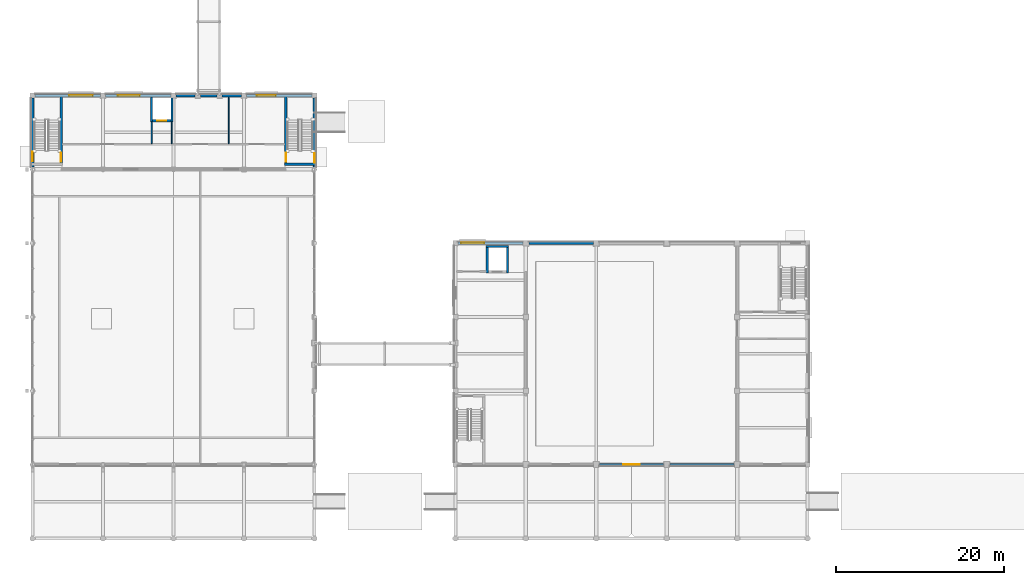
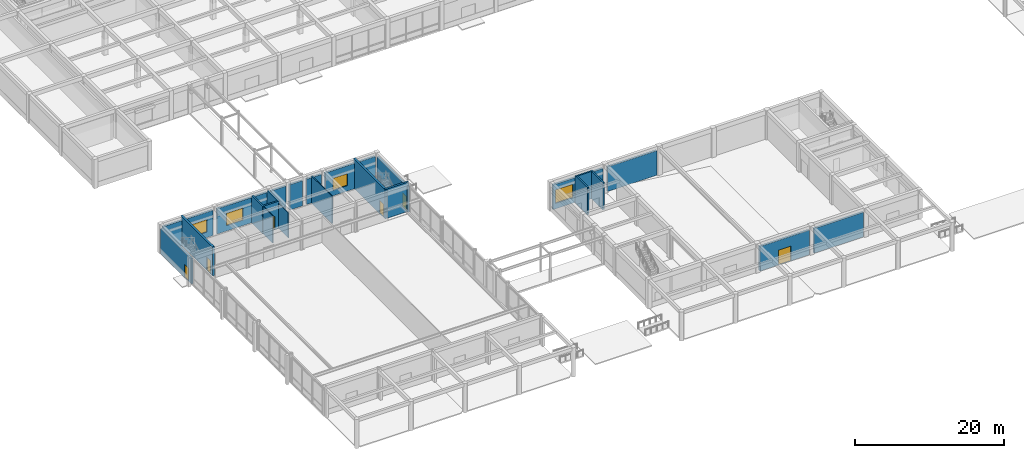
# One storey, part 33 of 58: 24 walls, 6 doors, 4 windows, 10 openings.
"""IFC4 building model written with IfcOpenShell, lengths in metres."""

import ifcopenshell
import ifcopenshell.guid

model = None  # the IFC model being written
_history = None  # IfcOwnerHistory: only IFC2X3 demands one
_inside = {}  # id of a spatial element -> (the spatial element, [elements in it])
_under = {}  # id of a project, library or spatial element -> (it, [spatial elements below it])
_declared = {}  # id of a project -> (the project, [libraries it declares])
_typed = {}  # id of a type object -> (the type object, [elements of that type])
_made_of = {}  # id of a material, layer set ... -> (it, [elements and type objects made of it])


def new_model(schema):
    """Start an empty IFC model of exactly this schema.

    Asked for "IFC4X3", IfcOpenShell would pick the latest addendum, in which some entities
    have other attributes; the version numbers below select the first issue.
    IFC2X3 requires an IfcOwnerHistory on every rooted entity: one is made here for all.
    """
    global model, _history
    if schema == "IFC4X3":
        model = ifcopenshell.file(schema_version=(4, 3, 0, 0))
    else:
        model = ifcopenshell.file(schema=schema)
    _inside.clear()
    _under.clear()
    _declared.clear()
    _typed.clear()
    _made_of.clear()
    _history = None
    if model.schema == "IFC2X3":
        org = make("IfcOrganization", Name="unknown")
        user = make(
            "IfcPersonAndOrganization",
            ThePerson=make("IfcPerson", FamilyName="unknown"),
            TheOrganization=org,
        )
        app = make(
            "IfcApplication",
            ApplicationDeveloper=org,
            Version="unknown",
            ApplicationFullName="unknown",
            ApplicationIdentifier="unknown",
        )
        _history = make(
            "IfcOwnerHistory",
            OwningUser=user,
            OwningApplication=app,
            ChangeAction="ADDED",
            CreationDate=0,
        )
    return model


def make(cls, **values):
    """One entity of the class cls with the attributes given. An attribute that is None is left unset."""
    return model.create_entity(
        cls, **{name: value for name, value in values.items() if value is not None}
    )


def rooted(cls, **values):
    """An entity with a GlobalId (a new one), such as an element, a storey or a relation."""
    return make(cls, GlobalId=ifcopenshell.guid.new(), OwnerHistory=_history, **values)


def si_unit(unit_type, name, prefix=None):
    """IfcSIUnit, for example si_unit("LENGTHUNIT", "METRE", prefix="MILLI")."""
    return make("IfcSIUnit", UnitType=unit_type, Prefix=prefix, Name=name)


def assignment(units):
    """IfcUnitAssignment: the units of a project."""
    return None if units is None else make("IfcUnitAssignment", Units=units)


def point(xyz):
    """IfcCartesianPoint."""
    return None if xyz is None else make("IfcCartesianPoint", Coordinates=xyz)


def direction(xyz):
    """IfcDirection."""
    return None if xyz is None else make("IfcDirection", DirectionRatios=xyz)


def frame(location, z_axis=None, x_axis=None):
    """IfcAxis2Placement3D, a coordinate frame: its origin and axes. An axis left out is left unset."""
    return make(
        "IfcAxis2Placement3D",
        Location=point(location),
        Axis=direction(z_axis),
        RefDirection=direction(x_axis),
    )


def frame_2d(location, x_axis=None):
    """IfcAxis2Placement2D, a coordinate frame in the plane: its origin and x axis."""
    return make(
        "IfcAxis2Placement2D", Location=point(location), RefDirection=direction(x_axis)
    )


def origin():
    """The frame at (0, 0, 0) with its axes left unset."""
    return frame((0.0, 0.0, 0.0))


def place(relative_to, where):
    """IfcLocalPlacement: puts the frame where relative to a parent placement (None: the world)."""
    return make(
        "IfcLocalPlacement", PlacementRelTo=relative_to, RelativePlacement=where
    )


def context(
    kind, dimensions, precision=None, world=None, true_north=None, identifier=None
):
    """IfcGeometricRepresentationContext, for example the 3D "Model" context."""
    return make(
        "IfcGeometricRepresentationContext",
        ContextIdentifier=identifier,
        ContextType=kind,
        CoordinateSpaceDimension=dimensions,
        Precision=precision,
        WorldCoordinateSystem=world,
        TrueNorth=true_north,
    )


def subcontext(parent, identifier, kind, view, scale=None):
    """IfcGeometricRepresentationSubContext, for example "Body" below "Model"."""
    return make(
        "IfcGeometricRepresentationSubContext",
        ContextIdentifier=identifier,
        ContextType=kind,
        ParentContext=parent,
        TargetScale=scale,
        TargetView=view,
    )


def project(units=None, contexts=None):
    """IfcProject with its units and contexts."""
    return rooted(
        "IfcProject",
        Name="project",
        RepresentationContexts=contexts,
        UnitsInContext=assignment(units),
    )


def spatial(cls, under=None, at=None, **own):
    """A site, building, storey or space (cls), placed at a placement, below another one or the project."""
    s = rooted(cls, ObjectPlacement=at, **own)
    if under is not None:
        _under.setdefault(under.id(), (under, []))[1].append(s)
    return s


def profile(cls, at=None, kind="AREA", **sizes):
    """A parametric profile (cls). Its sizes go by their IFC names, for example OverallWidth=200.0."""
    return make(cls, ProfileType=kind, Position=at, **sizes)


def rectangle(**sizes):
    """IfcRectangleProfileDef."""
    return profile("IfcRectangleProfileDef", **sizes)


def extrude(swept, where, along, depth):
    """IfcExtrudedAreaSolid: the profile swept, set in the frame where, extruded along a direction by depth."""
    return make(
        "IfcExtrudedAreaSolid",
        SweptArea=swept,
        Position=where,
        ExtrudedDirection=direction(along),
        Depth=depth,
    )


def shape(context_of_items, identifier, shape_type, items):
    """IfcShapeRepresentation: the items that make up one representation, for example the "Body"."""
    return make(
        "IfcShapeRepresentation",
        ContextOfItems=context_of_items,
        RepresentationIdentifier=identifier,
        RepresentationType=shape_type,
        Items=items,
    )


def material(Name=None, Category=None):
    """IfcMaterial."""
    return make("IfcMaterial", Name=Name, Category=Category)


def layer(
    of_material, thickness, ventilated=None, Name=None, Category=None, Priority=None
):
    """IfcMaterialLayer: one layer of a wall or slab, of a material (None: an air gap)."""
    return make(
        "IfcMaterialLayer",
        Material=of_material,
        LayerThickness=thickness,
        IsVentilated=ventilated,
        Name=Name,
        Category=Category,
        Priority=Priority,
    )


def layer_set(layers, Name=None):
    """IfcMaterialLayerSet."""
    return make("IfcMaterialLayerSet", MaterialLayers=layers, LayerSetName=Name)


def made_of(thing, what):
    """Note that an element or type object is made of a material, layer set ...; save() writes the relation."""
    if what is not None:
        _made_of.setdefault(what.id(), (what, []))[1].append(thing)
    return thing


def type_object(cls, material=None, **own):
    """A type object (cls), such as IfcWallType, which elements share."""
    return made_of(rooted(cls, **own), material)


def element(
    cls,
    number,
    at=None,
    inside=None,
    cuts=None,
    type_object=None,
    material=None,
    context=None,
    identifier="Body",
    shape_type=None,
    held_by="IfcProductDefinitionShape",
    body=None,
    shapes=None,
    **own,
):
    """One element of the class cls, such as IfcWall. Its Tag is "e" and its number.

    at: its placement. inside: the storey or other place that contains it. cuts: it is an
    opening in that element (IfcRelVoidsElement). A single representation is given by context,
    identifier, shape_type and body (its items); several are given by shapes. held_by: the class
    of the entity that holds the representations. save() writes the other relations.
    """
    e = rooted(cls, Tag="e%d" % number, ObjectPlacement=at, **own)
    if body is not None:
        shapes = [shape(context, identifier, shape_type, body)]
    if shapes is not None:
        e.Representation = make(held_by, Representations=shapes)
    if inside is not None:
        _inside.setdefault(inside.id(), (inside, []))[1].append(e)
    if cuts is not None:
        rooted(
            "IfcRelVoidsElement", RelatingBuildingElement=cuts, RelatedOpeningElement=e
        )
    if type_object is not None:
        _typed.setdefault(type_object.id(), (type_object, []))[1].append(e)
    return made_of(e, material)


def fill(opening, filler):
    """IfcRelFillsElement: the door or window that sits in an opening."""
    return rooted(
        "IfcRelFillsElement",
        RelatingOpeningElement=opening,
        RelatedBuildingElement=filler,
    )


def aggregate(whole, parts):
    """IfcRelAggregates: a whole, such as a stair, and the parts it consists of."""
    return rooted("IfcRelAggregates", RelatingObject=whole, RelatedObjects=parts)


def save(model, path):
    """Write the relations noted so far, then the file.

    IfcRelAggregates (storeys below a building ...), IfcRelContainedInSpatialStructure (elements
    in a storey), IfcRelDefinesByType, IfcRelAssociatesMaterial and IfcRelDeclares: one each for
    every whole, place, type object, material and project.
    """
    for whole, parts in _under.values():
        aggregate(whole, parts)
    for where, things in _inside.values():
        rooted(
            "IfcRelContainedInSpatialStructure",
            RelatedElements=things,
            RelatingStructure=where,
        )
    for kind, things in _typed.values():
        rooted("IfcRelDefinesByType", RelatedObjects=things, RelatingType=kind)
    for what, things in _made_of.values():
        rooted("IfcRelAssociatesMaterial", RelatedObjects=things, RelatingMaterial=what)
    for by, libraries in _declared.values():
        rooted("IfcRelDeclares", RelatingContext=by, RelatedDefinitions=libraries)
    model.write(path)


model = new_model("IFC4")

# Units and contexts
model_context = context("Model", 3, precision=1e-05, world=origin(), true_north=direction((0.0, 1.0)))
body_context = subcontext(model_context, "Body", "Model", "MODEL_VIEW")
ifc_project = project(units=[si_unit("LENGTHUNIT", "METRE"), si_unit("AREAUNIT", "SQUARE_METRE"), si_unit("VOLUMEUNIT", "CUBIC_METRE"), si_unit("PLANEANGLEUNIT", "RADIAN"), si_unit("MASSUNIT", "GRAM", prefix="KILO")], contexts=[model_context])

# Site, building, storey
site_placement = place(None, origin())
site = spatial("IfcSite", under=ifc_project, at=site_placement, CompositionType="ELEMENT")
building_placement = place(site_placement, origin())
building = spatial("IfcBuilding", under=site, at=building_placement, Name="Kemercrest Conservatory and Botanical Centre", CompositionType="ELEMENT")
storey_placement = place(building_placement, origin())
storey = spatial("IfcBuildingStorey", under=building, at=storey_placement, Name="L00", CompositionType="ELEMENT", Elevation=0.0)

# Wall, opening, door
ifc_material_1 = material(Name="Precast concrete C40/50", Category="concrete")
ifc_layer_1 = layer(ifc_material_1, 0.300048828125)
ifc_layer_set_1 = layer_set([ifc_layer_1], Name="Precast concrete C40/50")
wall_type_1 = type_object("IfcWallType", Name="CW-EXT300", PredefinedType="SHEAR", material=ifc_layer_set_1)
wall_1_placement = place(storey_placement, frame((41.60009765625, 52.263916015625, 0.0), z_axis=(0.0, 0.0, 1.0), x_axis=(0.0, 1.0, 0.0)))
wall_1 = element("IfcWall", 1, at=wall_1_placement, inside=storey, type_object=wall_type_1, Name="Exterior stair-core shear wall CW-EXT300 (WAL:L00:EXT-006)", PredefinedType="SHEAR", context=body_context, shape_type="SweptSolid", body=[
    extrude(rectangle(XDim=8.22607421875, YDim=0.300048828125, at=frame_2d((4.113037109375, 0.0))), origin(), (0.0, 0.0, 1.0), 4.14990234375),
])
opening_1_placement = place(wall_1_placement, frame((0.550048828125, 0.0, 0.0)))
opening_1 = element("IfcOpeningElement", 2, at=opening_1_placement, cuts=wall_1, Name="Opening ED006", PredefinedType="OPENING", context=body_context, shape_type="SweptSolid", body=[
    extrude(rectangle(XDim=1.10009765625, YDim=2.199951171875, at=frame_2d((0.550048828125, 1.10009765625))), frame((0.0, 0.16015625, 0.0), z_axis=(0.0, -1.0, 0.0), x_axis=(1.0, 0.0, 0.0)), (0.0, 0.0, 1.0), 0.320068359375),
])
ifc_material_2 = material(Name="Thermally broken bronze-anodized aluminium and laminated safety glass", Category="aluminium")
door_type_1 = type_object("IfcDoorType", Name="DT-E03", OperationType="NOTDEFINED", PredefinedType="DOOR", material=ifc_material_2)
door_1_placement = place(opening_1_placement, frame((1.10009765625, 0.0, 0.0), z_axis=(0.0, 0.0, 1.0), x_axis=(-1.0, 0.0, 0.0)))
door_1 = element("IfcDoor", 3, at=door_1_placement, inside=storey, type_object=door_type_1, Name="Exit Stair ST-V1B Exterior Discharge Door", OperationType="SINGLE_SWING_LEFT", OverallHeight=2.199951171875, OverallWidth=1.10009765625, PredefinedType="DOOR", context=body_context, shape_type="SweptSolid", body=[
    extrude(rectangle(XDim=1.10009765625, YDim=2.199951171875, at=frame_2d((0.550048828125, 1.10009765625))), frame((0.0, 0.02490234375, 0.0), z_axis=(0.0, -1.0, 0.0), x_axis=(1.0, 0.0, 0.0)), (0.0, 0.0, 1.0), 0.050048828125),
])
fill(opening_1, door_1)

# Wall, opening, window
wall_2_placement = place(storey_placement, frame((41.2900390625, 60.800048828125, 0.0), z_axis=(0.0, 0.0, 1.0), x_axis=(-1.0, 0.0, 0.0)))
wall_2 = element("IfcWall", 4, at=wall_2_placement, inside=storey, type_object=wall_type_1, Name="Exterior stair-core shear wall CW-EXT300 (WAL:L00:EXT-007)", PredefinedType="SHEAR", context=body_context, shape_type="SweptSolid", body=[
    extrude(rectangle(XDim=7.780029296875, YDim=0.300048828125, at=frame_2d((3.89013671875, 0.0))), origin(), (0.0, 0.0, 1.0), 4.14990234375),
])
opening_2_placement = place(wall_2_placement, frame((4.31005859375, 0.0, 0.89990234375)))
opening_2 = element("IfcOpeningElement", 5, at=opening_2_placement, cuts=wall_2, Name="Opening WT-08", PredefinedType="OPENING", context=body_context, shape_type="SweptSolid", body=[
    extrude(rectangle(XDim=2.25, YDim=1.949951171875, at=frame_2d((1.125, 0.97509765625))), frame((0.0, 0.16015625, 0.0), z_axis=(0.0, -1.0, 0.0), x_axis=(1.0, 0.0, 0.0)), (0.0, 0.0, 1.0), 0.320068359375),
])
ifc_material_3 = material(Name="Thermally broken bronze-anodized aluminium and triple glazing", Category="aluminium")
window_type_1 = type_object("IfcWindowType", Name="WT-08", PartitioningType="SINGLE_PANEL", PredefinedType="WINDOW", material=ifc_material_3)
window_1_placement = place(opening_2_placement, origin())
window_1 = element("IfcWindow", 6, at=window_1_placement, inside=storey, type_object=window_type_1, Name="Exterior window WT-08 (WIN:L00:EXT-007)", OverallHeight=1.949951171875, OverallWidth=2.25, PartitioningType="SINGLE_PANEL", PredefinedType="WINDOW", context=body_context, shape_type="SweptSolid", body=[
    extrude(rectangle(XDim=2.25, YDim=1.949951171875, at=frame_2d((1.125, 0.97509765625))), frame((0.0, 0.030029296875, 0.0), z_axis=(0.0, -1.0, 0.0), x_axis=(1.0, 0.0, 0.0)), (0.0, 0.0, 1.0), 0.06005859375),
])
fill(opening_2, window_1)

wall_3_placement = place(storey_placement, frame((16.090087890625, 60.800048828125, 0.0), z_axis=(0.0, 0.0, 1.0), x_axis=(-1.0, 0.0, 0.0)))
wall_3 = element("IfcWall", 7, at=wall_3_placement, inside=storey, type_object=wall_type_1, Name="Exterior stair-core shear wall CW-EXT300 (WAL:L00:EXT-010)", PredefinedType="SHEAR", context=body_context, shape_type="SweptSolid", body=[
    extrude(rectangle(XDim=7.780029296875, YDim=0.300048828125, at=frame_2d((3.89013671875, 0.0))), origin(), (0.0, 0.0, 1.0), 4.14990234375),
])
opening_3_placement = place(wall_3_placement, frame((0.945068359375, 0.0, 0.89990234375)))
opening_3 = element("IfcOpeningElement", 8, at=opening_3_placement, cuts=wall_3, Name="Opening WT-11", PredefinedType="OPENING", context=body_context, shape_type="SweptSolid", body=[
    extrude(rectangle(XDim=2.800048828125, YDim=2.050048828125, at=frame_2d((1.39990234375, 1.02490234375))), frame((0.0, 0.16015625, 0.0), z_axis=(0.0, -1.0, 0.0), x_axis=(1.0, 0.0, 0.0)), (0.0, 0.0, 1.0), 0.320068359375),
])
window_type_2 = type_object("IfcWindowType", Name="WT-11", PartitioningType="SINGLE_PANEL", PredefinedType="WINDOW", material=ifc_material_3)
window_2_placement = place(opening_3_placement, origin())
window_2 = element("IfcWindow", 9, at=window_2_placement, inside=storey, type_object=window_type_2, Name="Exterior window WT-11 (WIN:L00:EXT-010)", OverallHeight=2.050048828125, OverallWidth=2.800048828125, PartitioningType="SINGLE_PANEL", PredefinedType="WINDOW", context=body_context, shape_type="SweptSolid", body=[
    extrude(rectangle(XDim=2.800048828125, YDim=2.050048828125, at=frame_2d((1.39990234375, 1.02490234375))), frame((0.0, 0.030029296875, 0.0), z_axis=(0.0, -1.0, 0.0), x_axis=(1.0, 0.0, 0.0)), (0.0, 0.0, 1.0), 0.06005859375),
])
fill(opening_3, window_2)

# Wall, opening, door
wall_4_placement = place(storey_placement, frame((8.0, 60.489990234375, 0.0), z_axis=(0.0, 0.0, 1.0), x_axis=(0.0, -1.0, 0.0)))
wall_4 = element("IfcWall", 10, at=wall_4_placement, inside=storey, type_object=wall_type_1, Name="Exterior stair-core shear wall CW-EXT300 (WAL:L00:EXT-011)", PredefinedType="SHEAR", context=body_context, shape_type="SweptSolid", body=[
    extrude(rectangle(XDim=8.22607421875, YDim=0.300048828125, at=frame_2d((4.113037109375, 0.0))), origin(), (0.0, 0.0, 1.0), 4.14990234375),
])
opening_4_placement = place(wall_4_placement, frame((6.39990234375, 0.0, 0.0)))
opening_4 = element("IfcOpeningElement", 11, at=opening_4_placement, cuts=wall_4, Name="Opening ED008", PredefinedType="OPENING", context=body_context, shape_type="SweptSolid", body=[
    extrude(rectangle(XDim=1.10009765625, YDim=2.199951171875, at=frame_2d((0.550048828125, 1.10009765625))), frame((0.0, 0.16015625, 0.0), z_axis=(0.0, -1.0, 0.0), x_axis=(1.0, 0.0, 0.0)), (0.0, 0.0, 1.0), 0.320068359375),
])
door_2_placement = place(opening_4_placement, frame((1.10009765625, 0.0, 0.0), z_axis=(0.0, 0.0, 1.0), x_axis=(-1.0, 0.0, 0.0)))
door_2 = element("IfcDoor", 12, at=door_2_placement, inside=storey, type_object=door_type_1, Name="Exit Stair ST-V1A Exterior Discharge Door", OperationType="SINGLE_SWING_RIGHT", OverallHeight=2.199951171875, OverallWidth=1.10009765625, PredefinedType="DOOR", context=body_context, shape_type="SweptSolid", body=[
    extrude(rectangle(XDim=1.10009765625, YDim=2.199951171875, at=frame_2d((0.550048828125, 1.10009765625))), frame((0.0, 0.02490234375, 0.0), z_axis=(0.0, -1.0, 0.0), x_axis=(1.0, 0.0, 0.0)), (0.0, 0.0, 1.0), 0.050048828125),
])
fill(opening_4, door_2)

ifc_material_4 = material(Name="Concrete C50/60", Category="concrete")
ifc_layer_2 = layer(ifc_material_4, 0.300048828125)
ifc_layer_set_2 = layer_set([ifc_layer_2], Name="Concrete C50/60")
wall_type_2 = type_object("IfcWallType", Name="CW-STAIR", PredefinedType="SHEAR", material=ifc_layer_set_2)
wall_5_placement = place(storey_placement, frame((11.39990234375, 52.449951171875, 0.0), z_axis=(0.0, 0.0, 1.0), x_axis=(0.0, 1.0, 0.0)))
wall_5 = element("IfcWall", 13, at=wall_5_placement, inside=storey, type_object=wall_type_2, Name="Stair core ST-V1A shear wall E", PredefinedType="SHEAR", context=body_context, shape_type="SweptSolid", body=[
    extrude(rectangle(XDim=8.5, YDim=0.300048828125, at=frame_2d((4.25, 0.0))), origin(), (0.0, 0.0, 1.0), 4.800048828125),
])
opening_5_placement = place(wall_5_placement, frame((0.449951171875, 0.0, 0.0)))
opening_5 = element("IfcOpeningElement", 14, at=opening_5_placement, cuts=wall_5, Name="Opening D002", PredefinedType="OPENING", context=body_context, shape_type="SweptSolid", body=[
    extrude(rectangle(XDim=1.10009765625, YDim=2.199951171875, at=frame_2d((0.550048828125, 1.10009765625))), frame((0.0, 0.16015625, 0.0), z_axis=(0.0, -1.0, 0.0), x_axis=(1.0, 0.0, 0.0)), (0.0, 0.0, 1.0), 0.320068359375),
])
ifc_material_5 = material(Name="Powder-coated galvanized steel and fire-rated vision glass", Category="steel")
door_type_2 = type_object("IfcDoorType", Name="DT-FD90", OperationType="NOTDEFINED", PredefinedType="DOOR", material=ifc_material_5)
door_3_placement = place(opening_5_placement, origin())
door_3 = element("IfcDoor", 15, at=door_3_placement, inside=storey, type_object=door_type_2, Name="Exit stair ST-V1A fire door D002", OperationType="SINGLE_SWING_RIGHT", OverallHeight=2.199951171875, OverallWidth=1.10009765625, PredefinedType="DOOR", context=body_context, shape_type="SweptSolid", body=[
    extrude(rectangle(XDim=1.10009765625, YDim=2.199951171875, at=frame_2d((0.550048828125, 1.10009765625))), frame((0.0, 0.02490234375, 0.0), z_axis=(0.0, -1.0, 0.0), x_axis=(1.0, 0.0, 0.0)), (0.0, 0.0, 1.0), 0.050048828125),
])
fill(opening_5, door_3)

# Wall
wall_6_placement = place(storey_placement, frame((38.050048828125, 52.60009765625, 0.0), z_axis=(0.0, 0.0, 1.0), x_axis=(1.0, 0.0, 0.0)))
element("IfcWall", 16, at=wall_6_placement, inside=storey, type_object=wall_type_2, Name="Stair core ST-V1B shear wall S", PredefinedType="SHEAR", context=body_context, shape_type="SweptSolid", body=[
    extrude(rectangle(XDim=3.699951171875, YDim=0.300048828125, at=frame_2d((1.85009765625, 0.0))), origin(), (0.0, 0.0, 1.0), 4.800048828125),
])

# Wall, opening, door
wall_7_placement = place(storey_placement, frame((38.199951171875, 52.449951171875, 0.0), z_axis=(0.0, 0.0, 1.0), x_axis=(0.0, 1.0, 0.0)))
wall_7 = element("IfcWall", 17, at=wall_7_placement, inside=storey, type_object=wall_type_2, Name="Stair core ST-V1B shear wall W", PredefinedType="SHEAR", context=body_context, shape_type="SweptSolid", body=[
    extrude(rectangle(XDim=8.5, YDim=0.300048828125, at=frame_2d((4.25, 0.0))), origin(), (0.0, 0.0, 1.0), 4.800048828125),
])
opening_6_placement = place(wall_7_placement, frame((0.449951171875, 0.0, 0.0)))
opening_6 = element("IfcOpeningElement", 18, at=opening_6_placement, cuts=wall_7, Name="Opening D005", PredefinedType="OPENING", context=body_context, shape_type="SweptSolid", body=[
    extrude(rectangle(XDim=1.10009765625, YDim=2.199951171875, at=frame_2d((0.550048828125, 1.10009765625))), frame((0.0, 0.16015625, 0.0), z_axis=(0.0, -1.0, 0.0), x_axis=(1.0, 0.0, 0.0)), (0.0, 0.0, 1.0), 0.320068359375),
])
door_4_placement = place(opening_6_placement, origin())
door_4 = element("IfcDoor", 19, at=door_4_placement, inside=storey, type_object=door_type_2, Name="Exit stair ST-V1B fire door D005", OperationType="SINGLE_SWING_LEFT", OverallHeight=2.199951171875, OverallWidth=1.10009765625, PredefinedType="DOOR", context=body_context, shape_type="SweptSolid", body=[
    extrude(rectangle(XDim=1.10009765625, YDim=2.199951171875, at=frame_2d((0.550048828125, 1.10009765625))), frame((0.0, 0.02490234375, 0.0), z_axis=(0.0, -1.0, 0.0), x_axis=(1.0, 0.0, 0.0)), (0.0, 0.0, 1.0), 0.050048828125),
])
fill(opening_6, door_4)

# Walls
ifc_layer_3 = layer(ifc_material_1, 0.300048828125)
ifc_layer_set_3 = layer_set([ifc_layer_3], Name="Precast concrete C40/50")
wall_type_3 = type_object("IfcWallType", Name="W-EXT300", PredefinedType="SOLIDWALL", material=ifc_layer_set_3)
wall_8_placement = place(storey_placement, frame((32.889892578125, 60.800048828125, 0.0), z_axis=(0.0, 0.0, 1.0), x_axis=(-1.0, 0.0, 0.0)))
element("IfcWall", 20, at=wall_8_placement, inside=storey, type_object=wall_type_3, Name="Exterior almasik wall W-EXT300 (WAL:L00:EXT-008-S1)", PredefinedType="SOLIDWALL", context=body_context, shape_type="SweptSolid", body=[
    extrude(rectangle(XDim=2.27978515625, YDim=0.300048828125, at=frame_2d((1.139892578125, 0.0))), origin(), (0.0, 0.0, 1.0), 4.14990234375),
])
wall_9_placement = place(storey_placement, frame((29.989990234375, 60.800048828125, 0.0), z_axis=(0.0, 0.0, 1.0), x_axis=(-1.0, 0.0, 0.0)))
element("IfcWall", 21, at=wall_9_placement, inside=storey, type_object=wall_type_3, Name="Exterior almasik wall W-EXT300 (WAL:L00:EXT-008-S2)", PredefinedType="SOLIDWALL", context=body_context, shape_type="SweptSolid", body=[
    extrude(rectangle(XDim=1.97998046875, YDim=0.300048828125, at=frame_2d((0.989990234375, 0.0))), origin(), (0.0, 0.0, 1.0), 4.14990234375),
])
wall_10_placement = place(storey_placement, frame((27.389892578125, 60.800048828125, 0.0), z_axis=(0.0, 0.0, 1.0), x_axis=(-1.0, 0.0, 0.0)))
element("IfcWall", 22, at=wall_10_placement, inside=storey, type_object=wall_type_3, Name="Exterior almasik wall W-EXT300 (WAL:L00:EXT-008-S3)", PredefinedType="SOLIDWALL", context=body_context, shape_type="SweptSolid", body=[
    extrude(rectangle(XDim=2.27978515625, YDim=0.300048828125, at=frame_2d((1.139892578125, 0.0))), origin(), (0.0, 0.0, 1.0), 4.14990234375),
])

# Wall, opening, window
wall_11_placement = place(storey_placement, frame((24.489990234375, 60.800048828125, 0.0), z_axis=(0.0, 0.0, 1.0), x_axis=(-1.0, 0.0, 0.0)))
wall_11 = element("IfcWall", 23, at=wall_11_placement, inside=storey, type_object=wall_type_3, Name="Exterior almasik wall W-EXT300 (WAL:L00:EXT-009)", PredefinedType="SOLIDWALL", context=body_context, shape_type="SweptSolid", body=[
    extrude(rectangle(XDim=7.780029296875, YDim=0.300048828125, at=frame_2d((3.89013671875, 0.0))), origin(), (0.0, 0.0, 1.0), 4.14990234375),
])
opening_7_placement = place(wall_11_placement, frame((3.735107421875, 0.0, 0.89990234375)))
opening_7 = element("IfcOpeningElement", 24, at=opening_7_placement, cuts=wall_11, Name="Opening WT-10", PredefinedType="OPENING", context=body_context, shape_type="SweptSolid", body=[
    extrude(rectangle(XDim=2.60009765625, YDim=2.0, at=frame_2d((1.300048828125, 1.0))), frame((0.0, 0.16015625, 0.0), z_axis=(0.0, -1.0, 0.0), x_axis=(1.0, 0.0, 0.0)), (0.0, 0.0, 1.0), 0.320068359375),
])
window_type_3 = type_object("IfcWindowType", Name="WT-10", PartitioningType="SINGLE_PANEL", PredefinedType="WINDOW", material=ifc_material_3)
window_3_placement = place(opening_7_placement, origin())
window_3 = element("IfcWindow", 25, at=window_3_placement, inside=storey, type_object=window_type_3, Name="Exterior window WT-10 (WIN:L00:EXT-009)", OverallHeight=2.0, OverallWidth=2.60009765625, PartitioningType="SINGLE_PANEL", PredefinedType="WINDOW", context=body_context, shape_type="SweptSolid", body=[
    extrude(rectangle(XDim=2.60009765625, YDim=2.0, at=frame_2d((1.300048828125, 1.0))), frame((0.0, 0.030029296875, 0.0), z_axis=(0.0, -1.0, 0.0), x_axis=(1.0, 0.0, 0.0)), (0.0, 0.0, 1.0), 0.06005859375),
])
fill(opening_7, window_3)

# Wall, opening, door
wall_12_placement = place(storey_placement, frame((75.56005859375, 16.800048828125, 0.0), z_axis=(0.0, 0.0, 1.0), x_axis=(1.0, 0.0, 0.0)))
wall_12 = element("IfcWall", 26, at=wall_12_placement, inside=storey, type_object=wall_type_3, Name="Exterior almasik wall W-EXT300 (WAL:L00:EXT-023)", PredefinedType="SOLIDWALL", context=body_context, shape_type="SweptSolid", body=[
    extrude(rectangle(XDim=7.679931640625, YDim=0.300048828125, at=frame_2d((3.83984375, 0.0))), origin(), (0.0, 0.0, 1.0), 4.050048828125),
])
opening_8_placement = place(wall_12_placement, frame((2.864990234375, 0.0, 0.0)))
opening_8 = element("IfcOpeningElement", 27, at=opening_8_placement, cuts=wall_12, Name="Opening ED015", PredefinedType="OPENING", context=body_context, shape_type="SweptSolid", body=[
    extrude(rectangle(XDim=1.949951171875, YDim=2.449951171875, at=frame_2d((0.97509765625, 1.22509765625))), frame((0.0, 0.16015625, 0.0), z_axis=(0.0, -1.0, 0.0), x_axis=(1.0, 0.0, 0.0)), (0.0, 0.0, 1.0), 0.320068359375),
])
door_type_3 = type_object("IfcDoorType", Name="DT-E11", OperationType="DOUBLE_DOOR_SINGLE_SWING", PredefinedType="DOOR", material=ifc_material_2)
door_5_placement = place(opening_8_placement, frame((1.949951171875, 0.0, 0.0), z_axis=(0.0, 0.0, 1.0), x_axis=(-1.0, 0.0, 0.0)))
door_5 = element("IfcDoor", 28, at=door_5_placement, inside=storey, type_object=door_type_3, Name="Auditorium Harbour Foyer Main Entrance Door", OperationType="DOUBLE_DOOR_SINGLE_SWING", OverallHeight=2.449951171875, OverallWidth=1.949951171875, PredefinedType="DOOR", context=body_context, shape_type="SweptSolid", body=[
    extrude(rectangle(XDim=1.949951171875, YDim=2.449951171875, at=frame_2d((0.97509765625, 1.22509765625))), frame((0.0, 0.02490234375, 0.0), z_axis=(0.0, -1.0, 0.0), x_axis=(1.0, 0.0, 0.0)), (0.0, 0.0, 1.0), 0.050048828125),
])
fill(opening_8, door_5)

# Walls
wall_13_placement = place(storey_placement, frame((83.9599609375, 16.800048828125, 0.0), z_axis=(0.0, 0.0, 1.0), x_axis=(1.0, 0.0, 0.0)))
element("IfcWall", 29, at=wall_13_placement, inside=storey, type_object=wall_type_3, Name="Exterior almasik wall W-EXT300 (WAL:L00:EXT-024)", PredefinedType="SOLIDWALL", context=body_context, shape_type="SweptSolid", body=[
    extrude(rectangle(XDim=7.679931640625, YDim=0.300048828125, at=frame_2d((3.83984375, 0.0))), origin(), (0.0, 0.0, 1.0), 4.050048828125),
])
wall_14_placement = place(storey_placement, frame((74.840087890625, 43.199951171875, 0.0), z_axis=(0.0, 0.0, 1.0), x_axis=(-1.0, 0.0, 0.0)))
element("IfcWall", 30, at=wall_14_placement, inside=storey, type_object=wall_type_3, Name="Exterior almasik wall W-EXT300 (WAL:L00:EXT-032)", PredefinedType="SOLIDWALL", context=body_context, shape_type="SweptSolid", body=[
    extrude(rectangle(XDim=7.68017578125, YDim=0.300048828125, at=frame_2d((3.840087890625, 0.0))), origin(), (0.0, 0.0, 1.0), 4.050048828125),
])

# Wall, opening, window
wall_15_placement = place(storey_placement, frame((66.43994140625, 43.199951171875, 0.0), z_axis=(0.0, 0.0, 1.0), x_axis=(-1.0, 0.0, 0.0)))
wall_15 = element("IfcWall", 31, at=wall_15_placement, inside=storey, type_object=wall_type_3, Name="Exterior almasik wall W-EXT300 (WAL:L00:EXT-033)", PredefinedType="SOLIDWALL", context=body_context, shape_type="SweptSolid", body=[
    extrude(rectangle(XDim=7.72998046875, YDim=0.300048828125, at=frame_2d((3.864990234375, 0.0))), origin(), (0.0, 0.0, 1.0), 4.050048828125),
])
opening_9_placement = place(wall_15_placement, frame((4.614990234375, 0.0, 0.89990234375)))
opening_9 = element("IfcOpeningElement", 32, at=opening_9_placement, cuts=wall_15, Name="Opening WT-55", PredefinedType="OPENING", context=body_context, shape_type="SweptSolid", body=[
    extrude(rectangle(XDim=2.739990234375, YDim=2.199951171875, at=frame_2d((1.3701171875, 1.10009765625))), frame((0.0, 0.16015625, 0.0), z_axis=(0.0, -1.0, 0.0), x_axis=(1.0, 0.0, 0.0)), (0.0, 0.0, 1.0), 0.320068359375),
])
window_type_4 = type_object("IfcWindowType", Name="WT-55", PartitioningType="SINGLE_PANEL", PredefinedType="WINDOW", material=ifc_material_3)
window_4_placement = place(opening_9_placement, origin())
window_4 = element("IfcWindow", 33, at=window_4_placement, inside=storey, type_object=window_type_4, Name="Exterior window WT-55 (WIN:L00:EXT-033)", OverallHeight=2.199951171875, OverallWidth=2.739990234375, PartitioningType="SINGLE_PANEL", PredefinedType="WINDOW", context=body_context, shape_type="SweptSolid", body=[
    extrude(rectangle(XDim=2.739990234375, YDim=2.199951171875, at=frame_2d((1.3701171875, 1.10009765625))), frame((0.0, 0.030029296875, 0.0), z_axis=(0.0, -1.0, 0.0), x_axis=(1.0, 0.0, 0.0)), (0.0, 0.0, 1.0), 0.06005859375),
])
fill(opening_9, window_4)

# Walls
ifc_material_6 = material(Name="Moisture-resistant gypsum board partition", Category="gypsum")
ifc_layer_4 = layer(ifc_material_6, 0.125)
ifc_layer_set_4 = layer_set([ifc_layer_4], Name="Moisture-resistant gypsum board partition")
wall_type_4 = type_object("IfcWallType", Name="W-PART125", PredefinedType="PARTITIONING", material=ifc_layer_set_4)
wall_16_placement = place(storey_placement, frame((24.60009765625, 55.0673828125, 0.0), z_axis=(0.0, 0.0, 1.0), x_axis=(0.0, 1.0, 0.0)))
element("IfcWall", 34, at=wall_16_placement, inside=storey, type_object=wall_type_4, Name="Interior partition W-PART125 #22", PredefinedType="PARTITIONING", context=body_context, shape_type="SweptSolid", body=[
    extrude(rectangle(XDim=2.6025390625, YDim=0.125, at=frame_2d((1.30126953125, 0.0))), origin(), (0.0, 0.0, 1.0), 4.14501953125),
])
wall_17_placement = place(storey_placement, frame((31.39990234375, 55.0673828125, 0.0), z_axis=(0.0, 0.0, 1.0), x_axis=(0.0, 1.0, 0.0)))
element("IfcWall", 35, at=wall_17_placement, inside=storey, type_object=wall_type_4, Name="Interior partition W-PART125 #48", PredefinedType="PARTITIONING", context=body_context, shape_type="SweptSolid", body=[
    extrude(rectangle(XDim=5.57763671875, YDim=0.125, at=frame_2d((2.788818359375, 0.0))), origin(), (0.0, 0.0, 1.0), 4.465087890625),
])
ifc_material_7 = material(Name="Steel-stud gypsum board partition", Category="steel")
ifc_layer_5 = layer(ifc_material_7, 0.14990234375)
ifc_layer_set_5 = layer_set([ifc_layer_5], Name="Steel-stud gypsum board partition")
wall_type_5 = type_object("IfcWallType", Name="W-PART150", PredefinedType="PARTITIONING", material=ifc_layer_set_5)
wall_18_placement = place(storey_placement, frame((22.199951171875, 55.080078125, 0.0), z_axis=(0.0, 0.0, 1.0), x_axis=(0.0, 1.0, 0.0)))
element("IfcWall", 36, at=wall_18_placement, inside=storey, type_object=wall_type_5, Name="Interior partition W-PART150 #21", PredefinedType="PARTITIONING", context=body_context, shape_type="SweptSolid", body=[
    extrude(rectangle(XDim=2.58984375, YDim=0.14990234375, at=frame_2d((1.294921875, 0.0))), origin(), (0.0, 0.0, 1.0), 4.465087890625),
])

# Wall, opening, door
ifc_material_8 = material(Name="Concrete C40/50", Category="concrete")
ifc_layer_6 = layer(ifc_material_8, 0.25)
ifc_layer_set_6 = layer_set([ifc_layer_6], Name="Concrete C40/50")
wall_type_6 = type_object("IfcWallType", Name="W-SHFT250", PredefinedType="SOLIDWALL", material=ifc_layer_set_6)
wall_19_placement = place(storey_placement, frame((22.074951171875, 57.800048828125, 0.0), z_axis=(0.0, 0.0, 1.0), x_axis=(1.0, 0.0, 0.0)))
wall_19 = element("IfcWall", 37, at=wall_19_placement, inside=storey, type_object=wall_type_6, Name="Elevator LF-V1 shaft wall south", PredefinedType="SOLIDWALL", context=body_context, shape_type="SweptSolid", body=[
    extrude(rectangle(XDim=2.650146484375, YDim=0.25, at=frame_2d((1.3251953125, 0.0))), origin(), (0.0, 0.0, 1.0), 4.47998046875),
])
opening_10_placement = place(wall_19_placement, frame((0.77490234375, 0.0, 0.0)))
opening_10 = element("IfcOpeningElement", 38, at=opening_10_placement, cuts=wall_19, Name="Opening LD-094", PredefinedType="OPENING", context=body_context, shape_type="SweptSolid", body=[
    extrude(rectangle(XDim=1.10009765625, YDim=2.199951171875, at=frame_2d((0.550048828125, 1.10009765625))), frame((0.0, 0.135009765625, 0.0), z_axis=(0.0, -1.0, 0.0), x_axis=(1.0, 0.0, 0.0)), (0.0, 0.0, 1.0), 0.27001953125),
])
door_type_4 = type_object("IfcDoorType", Name="DT-LD01", OperationType="SLIDING_TO_LEFT", PredefinedType="DOOR", material=ifc_material_5)
door_6_placement = place(opening_10_placement, origin())
door_6 = element("IfcDoor", 39, at=door_6_placement, inside=storey, type_object=door_type_4, Name="Elevator LF-V1 sliding landing door LD-094", OperationType="SLIDING_TO_LEFT", OverallHeight=2.199951171875, OverallWidth=1.10009765625, PredefinedType="DOOR", context=body_context, shape_type="SweptSolid", body=[
    extrude(rectangle(XDim=1.10009765625, YDim=2.199951171875, at=frame_2d((0.550048828125, 1.10009765625))), frame((0.0, 0.02490234375, 0.0), z_axis=(0.0, -1.0, 0.0), x_axis=(1.0, 0.0, 0.0)), (0.0, 0.0, 1.0), 0.050048828125),
])
fill(opening_10, door_6)

# Walls
for number, where, z_axis, x_axis, name in (
    (40, (22.199951171875, 57.675048828125, 0.0), (0.0, 0.0, 1.0), (0.0, 1.0, 0.0), "Elevator LF-V1 shaft wall west"),
    (41, (24.60009765625, 57.675048828125, 0.0), (0.0, 0.0, 1.0), (0.0, 1.0, 0.0), "Elevator LF-V1 shaft wall east"),
):
    element("IfcWall", number, at=place(storey_placement, frame(where, z_axis=z_axis, x_axis=x_axis)), inside=storey, type_object=wall_type_6, Name=name, PredefinedType="SOLIDWALL", context=body_context, shape_type="SweptSolid", body=[
        extrude(rectangle(XDim=2.949951171875, YDim=0.25, at=frame_2d((1.47509765625, 0.0))), origin(), (0.0, 0.0, 1.0), 4.47998046875),
    ])
wall_20_placement = place(storey_placement, frame((62.074951171875, 42.800048828125, 0.0), z_axis=(0.0, 0.0, 1.0), x_axis=(1.0, 0.0, 0.0)))
element("IfcWall", 42, at=wall_20_placement, inside=storey, type_object=wall_type_6, Name="Elevator LF-V2 shaft wall north", PredefinedType="SOLIDWALL", context=body_context, shape_type="SweptSolid", body=[
    extrude(rectangle(XDim=2.650146484375, YDim=0.25, at=frame_2d((1.3251953125, 0.0))), origin(), (0.0, 0.0, 1.0), 4.47998046875),
])
for number, where, z_axis, x_axis, name in (
    (43, (62.199951171875, 39.675048828125, 0.0), (0.0, 0.0, 1.0), (0.0, 1.0, 0.0), "Elevator LF-V2 shaft wall west"),
    (44, (64.60009765625, 39.675048828125, 0.0), (0.0, 0.0, 1.0), (0.0, 1.0, 0.0), "Elevator LF-V2 shaft wall east"),
):
    element("IfcWall", number, at=place(storey_placement, frame(where, z_axis=z_axis, x_axis=x_axis)), inside=storey, type_object=wall_type_6, Name=name, PredefinedType="SOLIDWALL", context=body_context, shape_type="SweptSolid", body=[
        extrude(rectangle(XDim=3.25, YDim=0.25, at=frame_2d((1.625, 0.0))), origin(), (0.0, 0.0, 1.0), 4.47998046875),
    ])

save(model, "model.ifc")
